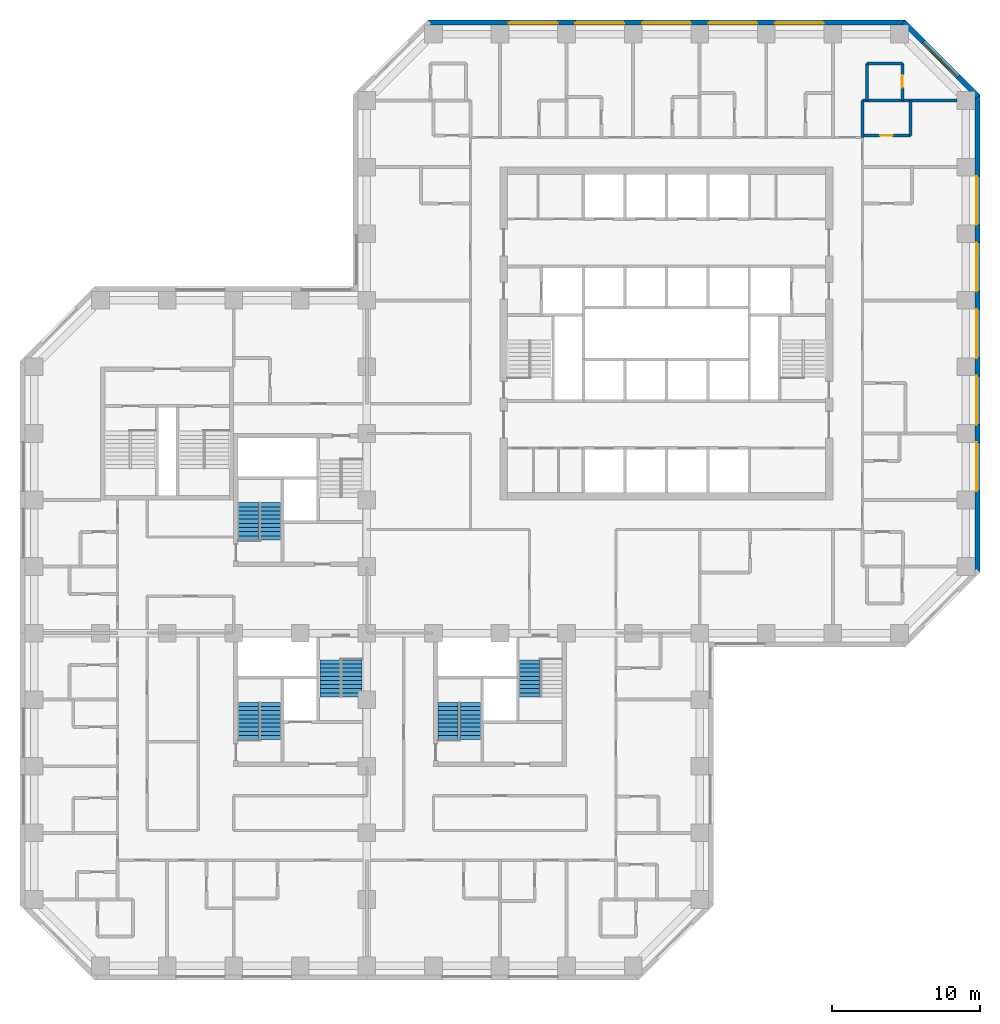
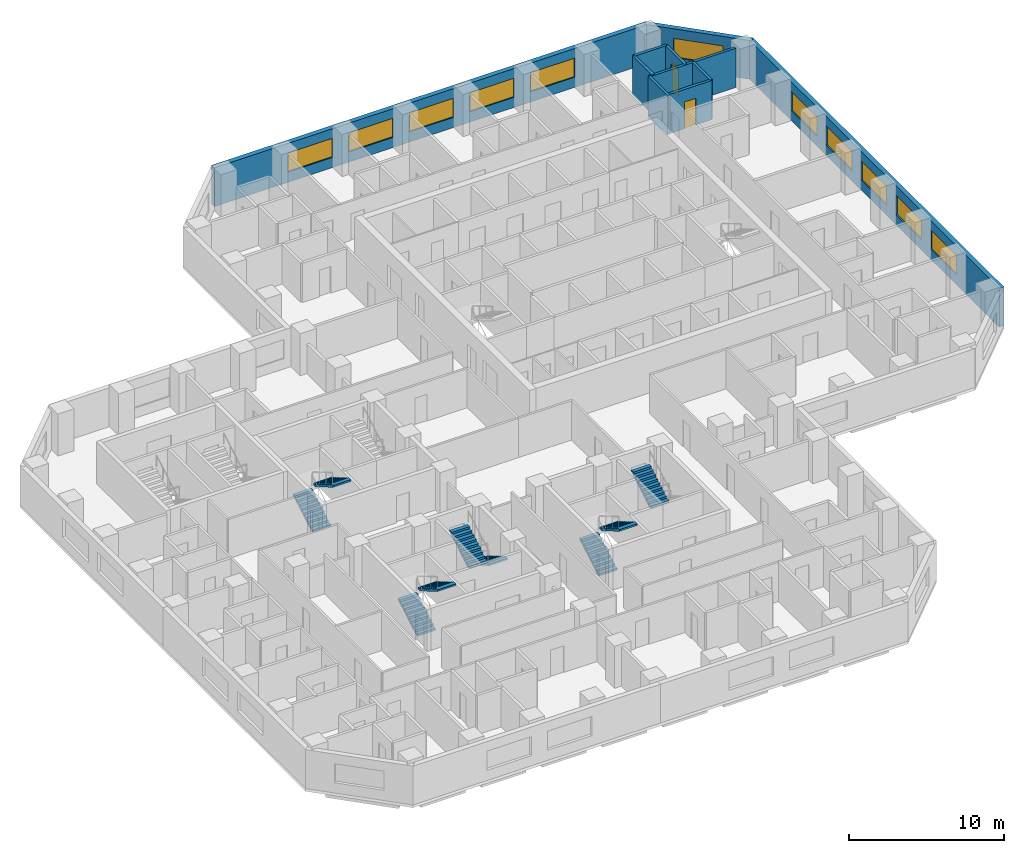
# One storey, part 10 of 12: 11 windows, 10 walls, 9 stair flights, 2 doors, 13 openings, 5 elements without a shape of their own.
"""IFC4 building model written with IfcOpenShell, lengths in metres."""

from ifc_helpers import new_model, si_unit, direction, frame, frame_2d, origin, place, context, subcontext, project, spatial, polyline, rectangle, outline, extrude, material, layer, layer_set, constituent, constituent_set, type_object, element, fill, aggregate, save


model = new_model("IFC4")

# Units and contexts
model_context = context("Model", 3, precision=1e-05, world=origin(), true_north=direction((0.0, 1.0)))
body_context = subcontext(model_context, "Body", "Model", "MODEL_VIEW")
ifc_project = project(units=[si_unit("LENGTHUNIT", "METRE"), si_unit("AREAUNIT", "SQUARE_METRE"), si_unit("VOLUMEUNIT", "CUBIC_METRE"), si_unit("PLANEANGLEUNIT", "RADIAN"), si_unit("MASSUNIT", "GRAM", prefix="KILO")], contexts=[model_context])

# Site, building, storey
site_placement = place(None, origin())
site = spatial("IfcSite", under=ifc_project, at=site_placement, CompositionType="ELEMENT")
building_placement = place(site_placement, origin())
building = spatial("IfcBuilding", under=site, at=building_placement, Name="Quoin Convention Tower", CompositionType="ELEMENT")
storey_placement = place(building_placement, frame((0.0, 0.0, 33.0)))
storey = spatial("IfcBuildingStorey", under=building, at=storey_placement, Name="L07", CompositionType="ELEMENT", Elevation=33.0)

# Wall, openings, windows
ifc_material_1 = material(Name="Brick masonry", Category="masonry")
ifc_layer_1 = layer(ifc_material_1, 0.35009765625)
ifc_layer_set_1 = layer_set([ifc_layer_1], Name="Brick masonry")
wall_type_1 = type_object("IfcWallType", Name="Brick facade wall", PredefinedType="STANDARD", material=ifc_layer_set_1)
wall_1_placement = place(storey_placement, frame((77.27490234375, 44.6064453125, 0.0), z_axis=(0.0, 0.0, 1.0), x_axis=(0.0, 1.0, 0.0)))
wall_1 = element("IfcWall", 1, at=wall_1_placement, inside=storey, type_object=wall_type_1, Name="fw-L07-76500_45000", PredefinedType="STANDARD", context=body_context, shape_type="SweptSolid", body=[
    extrude(rectangle(XDim=32.287109375, YDim=0.35009765625, at=frame_2d((16.1435546875, 0.0))), origin(), (0.0, 0.0, 1.0), 3.054931640625),
])
opening_1_placement = place(wall_1_placement, frame((5.493408203125, 0.0, 0.800048828125)))
opening_1 = element("IfcOpeningElement", 2, at=opening_1_placement, cuts=wall_1, Name="Opening W-01", PredefinedType="OPENING", context=body_context, shape_type="SweptSolid", body=[
    extrude(rectangle(XDim=3.300048828125, YDim=1.5, at=frame_2d((1.64990234375, 0.75))), frame((0.0, 0.18505859375, 0.0), z_axis=(0.0, -1.0, 0.0), x_axis=(1.0, 0.0, 0.0)), (0.0, 0.0, 1.0), 0.3701171875),
])
opening_2_placement = place(wall_1_placement, frame((9.993408203125, 0.0, 0.800048828125)))
opening_2 = element("IfcOpeningElement", 3, at=opening_2_placement, cuts=wall_1, Name="Opening W-01", PredefinedType="OPENING", context=body_context, shape_type="SweptSolid", body=[
    extrude(rectangle(XDim=3.300048828125, YDim=1.5, at=frame_2d((1.64990234375, 0.75))), frame((0.0, 0.18505859375, 0.0), z_axis=(0.0, -1.0, 0.0), x_axis=(1.0, 0.0, 0.0)), (0.0, 0.0, 1.0), 0.3701171875),
])
opening_3_placement = place(wall_1_placement, frame((14.493408203125, 0.0, 0.800048828125)))
opening_3 = element("IfcOpeningElement", 4, at=opening_3_placement, cuts=wall_1, Name="Opening W-01", PredefinedType="OPENING", context=body_context, shape_type="SweptSolid", body=[
    extrude(rectangle(XDim=3.300048828125, YDim=1.5, at=frame_2d((1.64990234375, 0.75))), frame((0.0, 0.18505859375, 0.0), z_axis=(0.0, -1.0, 0.0), x_axis=(1.0, 0.0, 0.0)), (0.0, 0.0, 1.0), 0.3701171875),
])
opening_4_placement = place(wall_1_placement, frame((18.993408203125, 0.0, 0.800048828125)))
opening_4 = element("IfcOpeningElement", 5, at=opening_4_placement, cuts=wall_1, Name="Opening W-01", PredefinedType="OPENING", context=body_context, shape_type="SweptSolid", body=[
    extrude(rectangle(XDim=3.300048828125, YDim=1.5, at=frame_2d((1.64990234375, 0.75))), frame((0.0, 0.18505859375, 0.0), z_axis=(0.0, -1.0, 0.0), x_axis=(1.0, 0.0, 0.0)), (0.0, 0.0, 1.0), 0.3701171875),
])
opening_5_placement = place(wall_1_placement, frame((23.493408203125, 0.0, 0.800048828125)))
opening_5 = element("IfcOpeningElement", 6, at=opening_5_placement, cuts=wall_1, Name="Opening W-01", PredefinedType="OPENING", context=body_context, shape_type="SweptSolid", body=[
    extrude(rectangle(XDim=3.300048828125, YDim=1.5, at=frame_2d((1.64990234375, 0.75))), frame((0.0, 0.18505859375, 0.0), z_axis=(0.0, -1.0, 0.0), x_axis=(1.0, 0.0, 0.0)), (0.0, 0.0, 1.0), 0.3701171875),
])
ifc_material_2 = material(Name="Aluminium", Category="aluminium")
ifc_constituent_1 = constituent(ifc_material_2, Name="Frame")
ifc_material_3 = material(Name="Insulated glass", Category="glass")
ifc_constituent_2 = constituent(ifc_material_3, Name="Glazing")
ifc_constituent_set = constituent_set(constituents=[ifc_constituent_1, ifc_constituent_2], Name="Aluminium")
window_type = type_object("IfcWindowType", Name="Hotel strip window", PartitioningType="DOUBLE_PANEL_VERTICAL", PredefinedType="WINDOW", material=ifc_constituent_set)
window_1_placement = place(opening_1_placement, origin())
window_1 = element("IfcWindow", 7, at=window_1_placement, inside=storey, type_object=window_type, Name="win-L07-77275_51750", OverallHeight=1.5, OverallWidth=3.300048828125, PartitioningType="SINGLE_PANEL", PredefinedType="WINDOW", context=body_context, shape_type="SweptSolid", body=[
    extrude(rectangle(XDim=3.300048828125, YDim=1.5, at=frame_2d((1.64990234375, 0.75))), frame((0.0, 0.0849609375, 0.0), z_axis=(0.0, -1.0, 0.0), x_axis=(1.0, 0.0, 0.0)), (0.0, 0.0, 1.0), 0.06005859375),
])
fill(opening_1, window_1)
window_2_placement = place(opening_2_placement, origin())
window_2 = element("IfcWindow", 8, at=window_2_placement, inside=storey, type_object=window_type, Name="win-L07-77275_56250", OverallHeight=1.5, OverallWidth=3.300048828125, PartitioningType="SINGLE_PANEL", PredefinedType="WINDOW", context=body_context, shape_type="SweptSolid", body=[
    extrude(rectangle(XDim=3.300048828125, YDim=1.5, at=frame_2d((1.64990234375, 0.75))), frame((0.0, 0.0849609375, 0.0), z_axis=(0.0, -1.0, 0.0), x_axis=(1.0, 0.0, 0.0)), (0.0, 0.0, 1.0), 0.06005859375),
])
fill(opening_2, window_2)
window_3_placement = place(opening_3_placement, origin())
window_3 = element("IfcWindow", 9, at=window_3_placement, inside=storey, type_object=window_type, Name="win-L07-77275_60750", OverallHeight=1.5, OverallWidth=3.300048828125, PartitioningType="SINGLE_PANEL", PredefinedType="WINDOW", context=body_context, shape_type="SweptSolid", body=[
    extrude(rectangle(XDim=3.300048828125, YDim=1.5, at=frame_2d((1.64990234375, 0.75))), frame((0.0, 0.0849609375, 0.0), z_axis=(0.0, -1.0, 0.0), x_axis=(1.0, 0.0, 0.0)), (0.0, 0.0, 1.0), 0.06005859375),
])
fill(opening_3, window_3)
window_4_placement = place(opening_4_placement, origin())
window_4 = element("IfcWindow", 10, at=window_4_placement, inside=storey, type_object=window_type, Name="win-L07-77275_65250", OverallHeight=1.5, OverallWidth=3.300048828125, PartitioningType="SINGLE_PANEL", PredefinedType="WINDOW", context=body_context, shape_type="SweptSolid", body=[
    extrude(rectangle(XDim=3.300048828125, YDim=1.5, at=frame_2d((1.64990234375, 0.75))), frame((0.0, 0.0849609375, 0.0), z_axis=(0.0, -1.0, 0.0), x_axis=(1.0, 0.0, 0.0)), (0.0, 0.0, 1.0), 0.06005859375),
])
fill(opening_4, window_4)
window_5_placement = place(opening_5_placement, origin())
window_5 = element("IfcWindow", 11, at=window_5_placement, inside=storey, type_object=window_type, Name="win-L07-77275_69750", OverallHeight=1.5, OverallWidth=3.300048828125, PartitioningType="SINGLE_PANEL", PredefinedType="WINDOW", context=body_context, shape_type="SweptSolid", body=[
    extrude(rectangle(XDim=3.300048828125, YDim=1.5, at=frame_2d((1.64990234375, 0.75))), frame((0.0, 0.0849609375, 0.0), z_axis=(0.0, -1.0, 0.0), x_axis=(1.0, 0.0, 0.0)), (0.0, 0.0, 1.0), 0.06005859375),
])
fill(opening_5, window_5)

# Wall, opening, window
wall_2_placement = place(storey_placement, frame((77.326416015625, 76.769775390625, 0.0), z_axis=(0.0, 0.0, 1.0), x_axis=(-0.707106781187, 0.707106781187, 0.0)))
wall_2 = element("IfcWall", 12, at=wall_2_placement, inside=storey, type_object=wall_type_1, Name="fw-L07-76500_76500", PredefinedType="STANDARD", context=body_context, shape_type="SweptSolid", body=[
    extrude(rectangle(XDim=7.151123046875, YDim=0.35009765625, at=frame_2d((3.57568359375, 0.0))), origin(), (0.0, 0.0, 1.0), 3.054931640625),
])
opening_6_placement = place(wall_2_placement, frame((1.925537109375, 0.0, 0.800048828125)))
opening_6 = element("IfcOpeningElement", 13, at=opening_6_placement, cuts=wall_2, Name="Opening W-01", PredefinedType="OPENING", context=body_context, shape_type="SweptSolid", body=[
    extrude(rectangle(XDim=3.300048828125, YDim=1.5, at=frame_2d((1.64990234375, 0.75))), frame((0.0, 0.18505859375, 0.0), z_axis=(0.0, -1.0, 0.0), x_axis=(1.0, 0.0, 0.0)), (0.0, 0.0, 1.0), 0.3701171875),
])
window_6_placement = place(opening_6_placement, origin())
window_6 = element("IfcWindow", 14, at=window_6_placement, inside=storey, type_object=window_type, Name="win-L07-74798_79298", OverallHeight=1.5, OverallWidth=3.300048828125, PartitioningType="SINGLE_PANEL", PredefinedType="WINDOW", context=body_context, shape_type="SweptSolid", body=[
    extrude(rectangle(XDim=3.300048828125, YDim=1.5, at=frame_2d((1.64990234375, 0.75))), frame((0.0, 0.0849609375, 0.0), z_axis=(0.0, -1.0, 0.0), x_axis=(1.0, 0.0, 0.0)), (0.0, 0.0, 1.0), 0.06005859375),
])
fill(opening_6, window_6)

# Wall, openings, windows
wall_3_placement = place(storey_placement, frame((72.3935546875, 81.77490234375, 0.0), z_axis=(0.0, 0.0, 1.0), x_axis=(-1.0, 0.0, 0.0)))
wall_3 = element("IfcWall", 15, at=wall_3_placement, inside=storey, type_object=wall_type_1, Name="fw-L07-72000_81000", PredefinedType="STANDARD", context=body_context, shape_type="SweptSolid", body=[
    extrude(rectangle(XDim=32.287109375, YDim=0.35009765625, at=frame_2d((16.1435546875, 0.0))), origin(), (0.0, 0.0, 1.0), 3.054931640625),
])
opening_7_placement = place(wall_3_placement, frame((5.493408203125, 0.0, 0.800048828125)))
opening_7 = element("IfcOpeningElement", 16, at=opening_7_placement, cuts=wall_3, Name="Opening W-01", PredefinedType="OPENING", context=body_context, shape_type="SweptSolid", body=[
    extrude(rectangle(XDim=3.300048828125, YDim=1.5, at=frame_2d((1.64990234375, 0.75))), frame((0.0, 0.18505859375, 0.0), z_axis=(0.0, -1.0, 0.0), x_axis=(1.0, 0.0, 0.0)), (0.0, 0.0, 1.0), 0.3701171875),
])
opening_8_placement = place(wall_3_placement, frame((9.993408203125, 0.0, 0.800048828125)))
opening_8 = element("IfcOpeningElement", 17, at=opening_8_placement, cuts=wall_3, Name="Opening W-01", PredefinedType="OPENING", context=body_context, shape_type="SweptSolid", body=[
    extrude(rectangle(XDim=3.300048828125, YDim=1.5, at=frame_2d((1.64990234375, 0.75))), frame((0.0, 0.18505859375, 0.0), z_axis=(0.0, -1.0, 0.0), x_axis=(1.0, 0.0, 0.0)), (0.0, 0.0, 1.0), 0.3701171875),
])
opening_9_placement = place(wall_3_placement, frame((14.493408203125, 0.0, 0.800048828125)))
opening_9 = element("IfcOpeningElement", 18, at=opening_9_placement, cuts=wall_3, Name="Opening W-01", PredefinedType="OPENING", context=body_context, shape_type="SweptSolid", body=[
    extrude(rectangle(XDim=3.300048828125, YDim=1.5, at=frame_2d((1.64990234375, 0.75))), frame((0.0, 0.18505859375, 0.0), z_axis=(0.0, -1.0, 0.0), x_axis=(1.0, 0.0, 0.0)), (0.0, 0.0, 1.0), 0.3701171875),
])
opening_10_placement = place(wall_3_placement, frame((18.993408203125, 0.0, 0.800048828125)))
opening_10 = element("IfcOpeningElement", 19, at=opening_10_placement, cuts=wall_3, Name="Opening W-01", PredefinedType="OPENING", context=body_context, shape_type="SweptSolid", body=[
    extrude(rectangle(XDim=3.300048828125, YDim=1.5, at=frame_2d((1.64990234375, 0.75))), frame((0.0, 0.18505859375, 0.0), z_axis=(0.0, -1.0, 0.0), x_axis=(1.0, 0.0, 0.0)), (0.0, 0.0, 1.0), 0.3701171875),
])
opening_11_placement = place(wall_3_placement, frame((23.493408203125, 0.0, 0.800048828125)))
opening_11 = element("IfcOpeningElement", 20, at=opening_11_placement, cuts=wall_3, Name="Opening W-01", PredefinedType="OPENING", context=body_context, shape_type="SweptSolid", body=[
    extrude(rectangle(XDim=3.300048828125, YDim=1.5, at=frame_2d((1.64990234375, 0.75))), frame((0.0, 0.18505859375, 0.0), z_axis=(0.0, -1.0, 0.0), x_axis=(1.0, 0.0, 0.0)), (0.0, 0.0, 1.0), 0.3701171875),
])
window_7_placement = place(opening_7_placement, origin())
window_7 = element("IfcWindow", 21, at=window_7_placement, inside=storey, type_object=window_type, Name="win-L07-65250_81775", OverallHeight=1.5, OverallWidth=3.300048828125, PartitioningType="SINGLE_PANEL", PredefinedType="WINDOW", context=body_context, shape_type="SweptSolid", body=[
    extrude(rectangle(XDim=3.300048828125, YDim=1.5, at=frame_2d((1.64990234375, 0.75))), frame((0.0, 0.0849609375, 0.0), z_axis=(0.0, -1.0, 0.0), x_axis=(1.0, 0.0, 0.0)), (0.0, 0.0, 1.0), 0.06005859375),
])
fill(opening_7, window_7)
window_8_placement = place(opening_8_placement, origin())
window_8 = element("IfcWindow", 22, at=window_8_placement, inside=storey, type_object=window_type, Name="win-L07-60750_81775", OverallHeight=1.5, OverallWidth=3.300048828125, PartitioningType="SINGLE_PANEL", PredefinedType="WINDOW", context=body_context, shape_type="SweptSolid", body=[
    extrude(rectangle(XDim=3.300048828125, YDim=1.5, at=frame_2d((1.64990234375, 0.75))), frame((0.0, 0.0849609375, 0.0), z_axis=(0.0, -1.0, 0.0), x_axis=(1.0, 0.0, 0.0)), (0.0, 0.0, 1.0), 0.06005859375),
])
fill(opening_8, window_8)
window_9_placement = place(opening_9_placement, origin())
window_9 = element("IfcWindow", 23, at=window_9_placement, inside=storey, type_object=window_type, Name="win-L07-56250_81775", OverallHeight=1.5, OverallWidth=3.300048828125, PartitioningType="SINGLE_PANEL", PredefinedType="WINDOW", context=body_context, shape_type="SweptSolid", body=[
    extrude(rectangle(XDim=3.300048828125, YDim=1.5, at=frame_2d((1.64990234375, 0.75))), frame((0.0, 0.0849609375, 0.0), z_axis=(0.0, -1.0, 0.0), x_axis=(1.0, 0.0, 0.0)), (0.0, 0.0, 1.0), 0.06005859375),
])
fill(opening_9, window_9)
window_10_placement = place(opening_10_placement, origin())
window_10 = element("IfcWindow", 24, at=window_10_placement, inside=storey, type_object=window_type, Name="win-L07-51750_81775", OverallHeight=1.5, OverallWidth=3.300048828125, PartitioningType="SINGLE_PANEL", PredefinedType="WINDOW", context=body_context, shape_type="SweptSolid", body=[
    extrude(rectangle(XDim=3.300048828125, YDim=1.5, at=frame_2d((1.64990234375, 0.75))), frame((0.0, 0.0849609375, 0.0), z_axis=(0.0, -1.0, 0.0), x_axis=(1.0, 0.0, 0.0)), (0.0, 0.0, 1.0), 0.06005859375),
])
fill(opening_10, window_10)
window_11_placement = place(opening_11_placement, origin())
window_11 = element("IfcWindow", 25, at=window_11_placement, inside=storey, type_object=window_type, Name="win-L07-47250_81775", OverallHeight=1.5, OverallWidth=3.300048828125, PartitioningType="SINGLE_PANEL", PredefinedType="WINDOW", context=body_context, shape_type="SweptSolid", body=[
    extrude(rectangle(XDim=3.300048828125, YDim=1.5, at=frame_2d((1.64990234375, 0.75))), frame((0.0, 0.0849609375, 0.0), z_axis=(0.0, -1.0, 0.0), x_axis=(1.0, 0.0, 0.0)), (0.0, 0.0, 1.0), 0.06005859375),
])
fill(opening_11, window_11)

# Wall
ifc_material_4 = material(Name="Concrete C50", Category="concrete")
ifc_layer_2 = layer(ifc_material_4, 0.199951171875)
ifc_layer_set_2 = layer_set([ifc_layer_2], Name="Concrete C50")
wall_type_2 = type_object("IfcWallType", Name="RC party wall", PredefinedType="SOLIDWALL", material=ifc_layer_set_2)
wall_4_placement = place(storey_placement, frame((69.5, 74.0, 0.0), z_axis=(0.0, 0.0, 1.0), x_axis=(0.0, 1.0, 0.0)))
element("IfcWall", 26, at=wall_4_placement, inside=storey, type_object=wall_type_2, Name="pw-L07-132", PredefinedType="SOLIDWALL", context=body_context, shape_type="SweptSolid", body=[
    extrude(rectangle(XDim=2.5, YDim=0.199951171875, at=frame_2d((1.25, 0.0))), origin(), (0.0, 0.0, 1.0), 3.080078125),
])

# Wall, opening, door
wall_5_placement = place(storey_placement, frame((69.5, 74.14990234375, 0.0), z_axis=(0.0, 0.0, 1.0), x_axis=(1.0, 0.0, 0.0)))
wall_5 = element("IfcWall", 27, at=wall_5_placement, inside=storey, type_object=wall_type_2, Name="pw-L07-135", PredefinedType="SOLIDWALL", context=body_context, shape_type="SweptSolid", body=[
    extrude(rectangle(XDim=3.25, YDim=0.199951171875, at=frame_2d((1.625, 0.0))), origin(), (0.0, 0.0, 1.0), 3.080078125),
])
opening_12_placement = place(wall_5_placement, frame((1.199951171875, 0.0, 0.0)))
opening_12 = element("IfcOpeningElement", 28, at=opening_12_placement, cuts=wall_5, Name="Opening DHOTEL-C-71", PredefinedType="OPENING", context=body_context, shape_type="SweptSolid", body=[
    extrude(rectangle(XDim=0.85009765625, YDim=2.10009765625, at=frame_2d((0.425048828125, 1.050048828125))), frame((0.0, 0.10986328125, 0.0), z_axis=(0.0, -1.0, 0.0), x_axis=(1.0, 0.0, 0.0)), (0.0, 0.0, 1.0), 0.219970703125),
])
ifc_material_5 = material(Name="Steel door leaf", Category="steel")
door_type = type_object("IfcDoorType", Name="Bathroom door", OperationType="SINGLE_SWING_LEFT", PredefinedType="DOOR", material=ifc_material_5)
door_1_placement = place(opening_12_placement, frame((0.85009765625, 0.0, 0.0), z_axis=(0.0, 0.0, 1.0), x_axis=(-1.0, 0.0, 0.0)))
door_1 = element("IfcDoor", 29, at=door_1_placement, inside=storey, type_object=door_type, Name="dr-L07-048", OperationType="SINGLE_SWING_RIGHT", OverallHeight=2.10009765625, OverallWidth=0.85009765625, PredefinedType="DOOR", context=body_context, shape_type="SweptSolid", body=[
    extrude(rectangle(XDim=0.85009765625, YDim=2.10009765625, at=frame_2d((0.425048828125, 1.050048828125))), frame((0.0, 0.02490234375, 0.0), z_axis=(0.0, -1.0, 0.0), x_axis=(1.0, 0.0, 0.0)), (0.0, 0.0, 1.0), 0.050048828125),
])
fill(opening_12, door_1)

# Walls
wall_6_placement = place(storey_placement, frame((72.75, 74.14990234375, 0.0), z_axis=(0.0, 0.0, 1.0), x_axis=(0.0, 1.0, 0.0)))
element("IfcWall", 30, at=wall_6_placement, inside=storey, type_object=wall_type_2, Name="pw-L07-136", PredefinedType="SOLIDWALL", context=body_context, shape_type="SweptSolid", body=[
    extrude(rectangle(XDim=2.35009765625, YDim=0.199951171875, at=frame_2d((1.175048828125, 0.0))), origin(), (0.0, 0.0, 1.0), 3.080078125),
])
wall_7_placement = place(storey_placement, frame((69.5, 76.5, 0.0), z_axis=(0.0, 0.0, 1.0), x_axis=(1.0, 0.0, 0.0)))
element("IfcWall", 31, at=wall_7_placement, inside=storey, type_object=wall_type_2, Name="pw-L07-141", PredefinedType="SOLIDWALL", context=body_context, shape_type="SweptSolid", body=[
    extrude(rectangle(XDim=6.39990234375, YDim=0.199951171875, at=frame_2d((3.199951171875, 0.0))), origin(), (0.0, 0.0, 1.0), 3.080078125),
])
wall_8_placement = place(storey_placement, frame((69.800048828125, 76.5, 0.0), z_axis=(0.0, 0.0, 1.0), x_axis=(0.0, 1.0, 0.0)))
element("IfcWall", 32, at=wall_8_placement, inside=storey, type_object=wall_type_2, Name="pw-L07-142", PredefinedType="SOLIDWALL", context=body_context, shape_type="SweptSolid", body=[
    extrude(rectangle(XDim=2.5, YDim=0.199951171875, at=frame_2d((1.25, 0.0))), origin(), (0.0, 0.0, 1.0), 3.080078125),
])

# Wall, opening, door
wall_9_placement = place(storey_placement, frame((72.199951171875, 76.5, 0.0), z_axis=(0.0, 0.0, 1.0), x_axis=(0.0, 1.0, 0.0)))
wall_9 = element("IfcWall", 33, at=wall_9_placement, inside=storey, type_object=wall_type_2, Name="pw-L07-143", PredefinedType="SOLIDWALL", context=body_context, shape_type="SweptSolid", body=[
    extrude(rectangle(XDim=2.5, YDim=0.199951171875, at=frame_2d((1.25, 0.0))), origin(), (0.0, 0.0, 1.0), 3.080078125),
])
opening_13_placement = place(wall_9_placement, frame((0.875, 0.0, 0.0)))
opening_13 = element("IfcOpeningElement", 34, at=opening_13_placement, cuts=wall_9, Name="Opening DHOTEL-C-73", PredefinedType="OPENING", context=body_context, shape_type="SweptSolid", body=[
    extrude(rectangle(XDim=0.85009765625, YDim=2.10009765625, at=frame_2d((0.425048828125, 1.050048828125))), frame((0.0, 0.10986328125, 0.0), z_axis=(0.0, -1.0, 0.0), x_axis=(1.0, 0.0, 0.0)), (0.0, 0.0, 1.0), 0.219970703125),
])
door_2_placement = place(opening_13_placement, frame((0.85009765625, 0.0, 0.0), z_axis=(0.0, 0.0, 1.0), x_axis=(-1.0, 0.0, 0.0)))
door_2 = element("IfcDoor", 35, at=door_2_placement, inside=storey, type_object=door_type, Name="dr-L07-068", OperationType="SINGLE_SWING_LEFT", OverallHeight=2.10009765625, OverallWidth=0.85009765625, PredefinedType="DOOR", context=body_context, shape_type="SweptSolid", body=[
    extrude(rectangle(XDim=0.85009765625, YDim=2.10009765625, at=frame_2d((0.425048828125, 1.050048828125))), frame((0.0, 0.02490234375, 0.0), z_axis=(0.0, -1.0, 0.0), x_axis=(1.0, 0.0, 0.0)), (0.0, 0.0, 1.0), 0.050048828125),
])
fill(opening_13, door_2)

# Wall
wall_10_placement = place(storey_placement, frame((69.800048828125, 79.0, 0.0), z_axis=(0.0, 0.0, 1.0), x_axis=(1.0, 0.0, 0.0)))
element("IfcWall", 36, at=wall_10_placement, inside=storey, type_object=wall_type_2, Name="pw-L07-149", PredefinedType="SOLIDWALL", context=body_context, shape_type="SweptSolid", body=[
    extrude(rectangle(XDim=2.39990234375, YDim=0.199951171875, at=frame_2d((1.199951171875, 0.0))), origin(), (0.0, 0.0, 1.0), 3.080078125),
])

# Stair, stair flights
ifc_material_6 = material(Name="Concrete C40", Category="concrete")
stair_type = type_object("IfcStairType", Name="Exit stair two-flight 1350", PredefinedType="HALF_TURN_STAIR", material=ifc_material_6)
stair_1_placement = place(storey_placement, origin())
stair_1 = element("IfcStair", 37, at=stair_1_placement, inside=storey, type_object=stair_type, Name="SD3 L07", PredefinedType="HALF_TURN_STAIR")
stair_flight_type = type_object("IfcStairFlightType", Name="Stair flight 1350", PredefinedType="STRAIGHT", material=ifc_material_6)
stair_flight_1_placement = place(storey_placement, frame((28.0, 46.800048828125, 0.0), z_axis=(0.0, 0.0, 1.0), x_axis=(0.0, 1.0, 0.0)))
stair_flight_1 = element("IfcStairFlight", 38, at=stair_flight_1_placement, type_object=stair_flight_type, Name="ST3 flight 1", NumberOfRisers=10, NumberOfTreads=9, PredefinedType="STRAIGHT", RiserHeight=0.165, TreadLength=0.28, context=body_context, shape_type="SweptSolid", body=[
    extrude(outline(polyline([(0.0, 0.0), (0.0, 0.1650390625), (0.280029296875, 0.1650390625), (0.280029296875, 0.330078125), (0.56005859375, 0.330078125), (0.56005859375, 0.4951171875), (0.840087890625, 0.4951171875), (0.840087890625, 0.659912109375), (1.1201171875, 0.659912109375), (1.1201171875, 0.824951171875), (1.39990234375, 0.824951171875), (1.39990234375, 0.989990234375), (1.679931640625, 0.989990234375), (1.679931640625, 1.155029296875), (1.9599609375, 1.155029296875), (1.9599609375, 1.320068359375), (2.239990234375, 1.320068359375), (2.239990234375, 1.485107421875), (2.52001953125, 1.485107421875), (2.52001953125, 1.64990234375), (2.52001953125, 1.345458984375), (0.236572265625, 0.0), (0.0, 0.0)])), frame((0.0, 0.675048828125, 0.0), z_axis=(0.0, -1.0, 0.0), x_axis=(1.0, 0.0, 0.0)), (0.0, 0.0, 1.0), 1.35009765625),
])
stair_flight_2_placement = place(storey_placement, frame((29.5, 49.320068359375, 1.64990234375), z_axis=(0.0, 0.0, 1.0), x_axis=(0.0, -1.0, 0.0)))
stair_flight_2 = element("IfcStairFlight", 39, at=stair_flight_2_placement, type_object=stair_flight_type, Name="ST3 flight 2", NumberOfRisers=10, NumberOfTreads=9, PredefinedType="STRAIGHT", RiserHeight=0.165, TreadLength=0.28, context=body_context, shape_type="SweptSolid", body=[
    extrude(outline(polyline([(0.0, 0.0), (0.0, 0.1650390625), (0.280029296875, 0.1650390625), (0.280029296875, 0.330078125), (0.56005859375, 0.330078125), (0.56005859375, 0.4951171875), (0.840087890625, 0.4951171875), (0.840087890625, 0.659912109375), (1.1201171875, 0.659912109375), (1.1201171875, 0.824951171875), (1.39990234375, 0.824951171875), (1.39990234375, 0.989990234375), (1.679931640625, 0.989990234375), (1.679931640625, 1.155029296875), (1.9599609375, 1.155029296875), (1.9599609375, 1.320068359375), (2.239990234375, 1.320068359375), (2.239990234375, 1.485107421875), (2.52001953125, 1.485107421875), (2.52001953125, 1.64990234375), (2.52001953125, 1.345458984375), (0.236572265625, 0.0), (0.0, 0.0)])), frame((0.0, 0.675048828125, 0.0), z_axis=(0.0, -1.0, 0.0), x_axis=(1.0, 0.0, 0.0)), (0.0, 0.0, 1.0), 1.35009765625),
])
aggregate(stair_1, [stair_flight_1, stair_flight_2])

stair_2_placement = place(storey_placement, origin())
stair_2 = element("IfcStair", 40, at=stair_2_placement, inside=storey, type_object=stair_type, Name="SD5 L07", PredefinedType="HALF_TURN_STAIR")
stair_flight_3_placement = place(storey_placement, frame((41.5, 33.300048828125, 0.0), z_axis=(0.0, 0.0, 1.0), x_axis=(0.0, 1.0, 0.0)))
stair_flight_3 = element("IfcStairFlight", 41, at=stair_flight_3_placement, type_object=stair_flight_type, Name="ST5 flight 1", NumberOfRisers=10, NumberOfTreads=9, PredefinedType="STRAIGHT", RiserHeight=0.165, TreadLength=0.28, context=body_context, shape_type="SweptSolid", body=[
    extrude(outline(polyline([(0.0, 0.0), (0.0, 0.1650390625), (0.280029296875, 0.1650390625), (0.280029296875, 0.330078125), (0.56005859375, 0.330078125), (0.56005859375, 0.4951171875), (0.840087890625, 0.4951171875), (0.840087890625, 0.659912109375), (1.1201171875, 0.659912109375), (1.1201171875, 0.824951171875), (1.39990234375, 0.824951171875), (1.39990234375, 0.989990234375), (1.679931640625, 0.989990234375), (1.679931640625, 1.155029296875), (1.9599609375, 1.155029296875), (1.9599609375, 1.320068359375), (2.239990234375, 1.320068359375), (2.239990234375, 1.485107421875), (2.52001953125, 1.485107421875), (2.52001953125, 1.64990234375), (2.52001953125, 1.345458984375), (0.236572265625, 0.0), (0.0, 0.0)])), frame((0.0, 0.675048828125, 0.0), z_axis=(0.0, -1.0, 0.0), x_axis=(1.0, 0.0, 0.0)), (0.0, 0.0, 1.0), 1.35009765625),
])
stair_flight_4_placement = place(storey_placement, frame((43.0, 35.820068359375, 1.64990234375), z_axis=(0.0, 0.0, 1.0), x_axis=(0.0, -1.0, 0.0)))
stair_flight_4 = element("IfcStairFlight", 42, at=stair_flight_4_placement, type_object=stair_flight_type, Name="ST5 flight 2", NumberOfRisers=10, NumberOfTreads=9, PredefinedType="STRAIGHT", RiserHeight=0.165, TreadLength=0.28, context=body_context, shape_type="SweptSolid", body=[
    extrude(outline(polyline([(0.0, 0.0), (0.0, 0.1650390625), (0.280029296875, 0.1650390625), (0.280029296875, 0.330078125), (0.56005859375, 0.330078125), (0.56005859375, 0.4951171875), (0.840087890625, 0.4951171875), (0.840087890625, 0.659912109375), (1.1201171875, 0.659912109375), (1.1201171875, 0.824951171875), (1.39990234375, 0.824951171875), (1.39990234375, 0.989990234375), (1.679931640625, 0.989990234375), (1.679931640625, 1.155029296875), (1.9599609375, 1.155029296875), (1.9599609375, 1.320068359375), (2.239990234375, 1.320068359375), (2.239990234375, 1.485107421875), (2.52001953125, 1.485107421875), (2.52001953125, 1.64990234375), (2.52001953125, 1.345458984375), (0.236572265625, 0.0), (0.0, 0.0)])), frame((0.0, 0.675048828125, 0.0), z_axis=(0.0, -1.0, 0.0), x_axis=(1.0, 0.0, 0.0)), (0.0, 0.0, 1.0), 1.35009765625),
])
aggregate(stair_2, [stair_flight_3, stair_flight_4])

# Stair, stair flight
stair_3_placement = place(storey_placement, origin())
stair_3 = element("IfcStair", 43, at=stair_3_placement, inside=storey, type_object=stair_type, Name="SD6 L07", PredefinedType="HALF_TURN_STAIR")
stair_flight_5_placement = place(storey_placement, frame((47.0, 36.179931640625, 1.64990234375), z_axis=(0.0, 0.0, 1.0), x_axis=(0.0, 1.0, 0.0)))
stair_flight_5 = element("IfcStairFlight", 44, at=stair_flight_5_placement, type_object=stair_flight_type, Name="ST6 flight 2", NumberOfRisers=10, NumberOfTreads=9, PredefinedType="STRAIGHT", RiserHeight=0.165, TreadLength=0.28, context=body_context, shape_type="SweptSolid", body=[
    extrude(outline(polyline([(0.0, 0.0), (0.0, 0.1650390625), (0.280029296875, 0.1650390625), (0.280029296875, 0.330078125), (0.56005859375, 0.330078125), (0.56005859375, 0.4951171875), (0.840087890625, 0.4951171875), (0.840087890625, 0.659912109375), (1.1201171875, 0.659912109375), (1.1201171875, 0.824951171875), (1.39990234375, 0.824951171875), (1.39990234375, 0.989990234375), (1.679931640625, 0.989990234375), (1.679931640625, 1.155029296875), (1.9599609375, 1.155029296875), (1.9599609375, 1.320068359375), (2.239990234375, 1.320068359375), (2.239990234375, 1.485107421875), (2.52001953125, 1.485107421875), (2.52001953125, 1.64990234375), (2.52001953125, 1.345458984375), (0.236572265625, 0.0), (0.0, 0.0)])), frame((0.0, 0.675048828125, 0.0), z_axis=(0.0, -1.0, 0.0), x_axis=(1.0, 0.0, 0.0)), (0.0, 0.0, 1.0), 1.35009765625),
])
aggregate(stair_3, [stair_flight_5])

# Stair, stair flights
stair_4_placement = place(storey_placement, origin())
stair_4 = element("IfcStair", 45, at=stair_4_placement, inside=storey, type_object=stair_type, Name="SD7 L07", PredefinedType="HALF_TURN_STAIR")
stair_flight_6_placement = place(storey_placement, frame((28.0, 33.300048828125, 0.0), z_axis=(0.0, 0.0, 1.0), x_axis=(0.0, 1.0, 0.0)))
stair_flight_6 = element("IfcStairFlight", 46, at=stair_flight_6_placement, type_object=stair_flight_type, Name="ST7 flight 1", NumberOfRisers=10, NumberOfTreads=9, PredefinedType="STRAIGHT", RiserHeight=0.165, TreadLength=0.28, context=body_context, shape_type="SweptSolid", body=[
    extrude(outline(polyline([(0.0, 0.0), (0.0, 0.1650390625), (0.280029296875, 0.1650390625), (0.280029296875, 0.330078125), (0.56005859375, 0.330078125), (0.56005859375, 0.4951171875), (0.840087890625, 0.4951171875), (0.840087890625, 0.659912109375), (1.1201171875, 0.659912109375), (1.1201171875, 0.824951171875), (1.39990234375, 0.824951171875), (1.39990234375, 0.989990234375), (1.679931640625, 0.989990234375), (1.679931640625, 1.155029296875), (1.9599609375, 1.155029296875), (1.9599609375, 1.320068359375), (2.239990234375, 1.320068359375), (2.239990234375, 1.485107421875), (2.52001953125, 1.485107421875), (2.52001953125, 1.64990234375), (2.52001953125, 1.345458984375), (0.236572265625, 0.0), (0.0, 0.0)])), frame((0.0, 0.675048828125, 0.0), z_axis=(0.0, -1.0, 0.0), x_axis=(1.0, 0.0, 0.0)), (0.0, 0.0, 1.0), 1.35009765625),
])
stair_flight_7_placement = place(storey_placement, frame((29.5, 35.820068359375, 1.64990234375), z_axis=(0.0, 0.0, 1.0), x_axis=(0.0, -1.0, 0.0)))
stair_flight_7 = element("IfcStairFlight", 47, at=stair_flight_7_placement, type_object=stair_flight_type, Name="ST7 flight 2", NumberOfRisers=10, NumberOfTreads=9, PredefinedType="STRAIGHT", RiserHeight=0.165, TreadLength=0.28, context=body_context, shape_type="SweptSolid", body=[
    extrude(outline(polyline([(0.0, 0.0), (0.0, 0.1650390625), (0.280029296875, 0.1650390625), (0.280029296875, 0.330078125), (0.56005859375, 0.330078125), (0.56005859375, 0.4951171875), (0.840087890625, 0.4951171875), (0.840087890625, 0.659912109375), (1.1201171875, 0.659912109375), (1.1201171875, 0.824951171875), (1.39990234375, 0.824951171875), (1.39990234375, 0.989990234375), (1.679931640625, 0.989990234375), (1.679931640625, 1.155029296875), (1.9599609375, 1.155029296875), (1.9599609375, 1.320068359375), (2.239990234375, 1.320068359375), (2.239990234375, 1.485107421875), (2.52001953125, 1.485107421875), (2.52001953125, 1.64990234375), (2.52001953125, 1.345458984375), (0.236572265625, 0.0), (0.0, 0.0)])), frame((0.0, 0.675048828125, 0.0), z_axis=(0.0, -1.0, 0.0), x_axis=(1.0, 0.0, 0.0)), (0.0, 0.0, 1.0), 1.35009765625),
])
aggregate(stair_4, [stair_flight_6, stair_flight_7])

stair_5_placement = place(storey_placement, origin())
stair_5 = element("IfcStair", 48, at=stair_5_placement, inside=storey, type_object=stair_type, Name="SD8 L07", PredefinedType="HALF_TURN_STAIR")
stair_flight_8_placement = place(storey_placement, frame((35.0, 38.699951171875, 0.0), z_axis=(0.0, 0.0, 1.0), x_axis=(0.0, -1.0, 0.0)))
stair_flight_8 = element("IfcStairFlight", 49, at=stair_flight_8_placement, type_object=stair_flight_type, Name="ST8 flight 1", NumberOfRisers=10, NumberOfTreads=9, PredefinedType="STRAIGHT", RiserHeight=0.165, TreadLength=0.28, context=body_context, shape_type="SweptSolid", body=[
    extrude(outline(polyline([(0.0, 0.0), (0.0, 0.1650390625), (0.280029296875, 0.1650390625), (0.280029296875, 0.330078125), (0.56005859375, 0.330078125), (0.56005859375, 0.4951171875), (0.840087890625, 0.4951171875), (0.840087890625, 0.659912109375), (1.1201171875, 0.659912109375), (1.1201171875, 0.824951171875), (1.39990234375, 0.824951171875), (1.39990234375, 0.989990234375), (1.679931640625, 0.989990234375), (1.679931640625, 1.155029296875), (1.9599609375, 1.155029296875), (1.9599609375, 1.320068359375), (2.239990234375, 1.320068359375), (2.239990234375, 1.485107421875), (2.52001953125, 1.485107421875), (2.52001953125, 1.64990234375), (2.52001953125, 1.345458984375), (0.236572265625, 0.0), (0.0, 0.0)])), frame((0.0, 0.675048828125, 0.0), z_axis=(0.0, -1.0, 0.0), x_axis=(1.0, 0.0, 0.0)), (0.0, 0.0, 1.0), 1.35009765625),
])
stair_flight_9_placement = place(storey_placement, frame((33.5, 36.179931640625, 1.64990234375), z_axis=(0.0, 0.0, 1.0), x_axis=(0.0, 1.0, 0.0)))
stair_flight_9 = element("IfcStairFlight", 50, at=stair_flight_9_placement, type_object=stair_flight_type, Name="ST8 flight 2", NumberOfRisers=10, NumberOfTreads=9, PredefinedType="STRAIGHT", RiserHeight=0.165, TreadLength=0.28, context=body_context, shape_type="SweptSolid", body=[
    extrude(outline(polyline([(0.0, 0.0), (0.0, 0.1650390625), (0.280029296875, 0.1650390625), (0.280029296875, 0.330078125), (0.56005859375, 0.330078125), (0.56005859375, 0.4951171875), (0.840087890625, 0.4951171875), (0.840087890625, 0.659912109375), (1.1201171875, 0.659912109375), (1.1201171875, 0.824951171875), (1.39990234375, 0.824951171875), (1.39990234375, 0.989990234375), (1.679931640625, 0.989990234375), (1.679931640625, 1.155029296875), (1.9599609375, 1.155029296875), (1.9599609375, 1.320068359375), (2.239990234375, 1.320068359375), (2.239990234375, 1.485107421875), (2.52001953125, 1.485107421875), (2.52001953125, 1.64990234375), (2.52001953125, 1.345458984375), (0.236572265625, 0.0), (0.0, 0.0)])), frame((0.0, 0.675048828125, 0.0), z_axis=(0.0, -1.0, 0.0), x_axis=(1.0, 0.0, 0.0)), (0.0, 0.0, 1.0), 1.35009765625),
])
aggregate(stair_5, [stair_flight_8, stair_flight_9])

save(model, "model.ifc")
